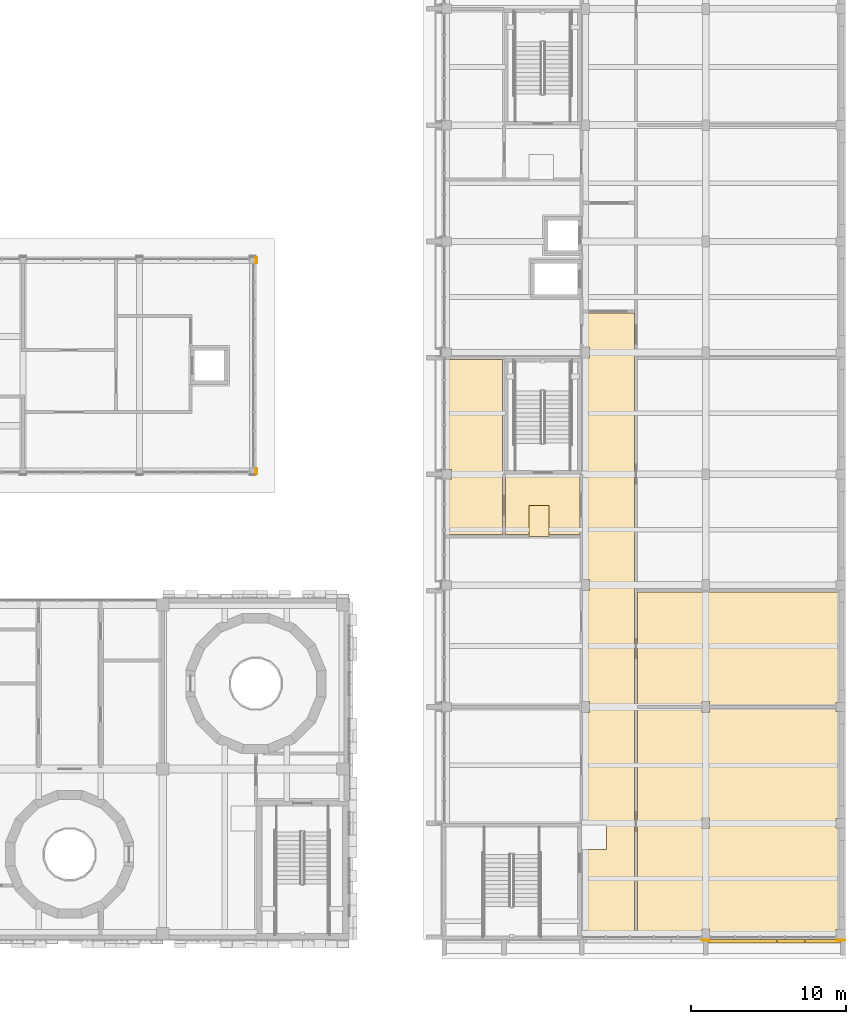
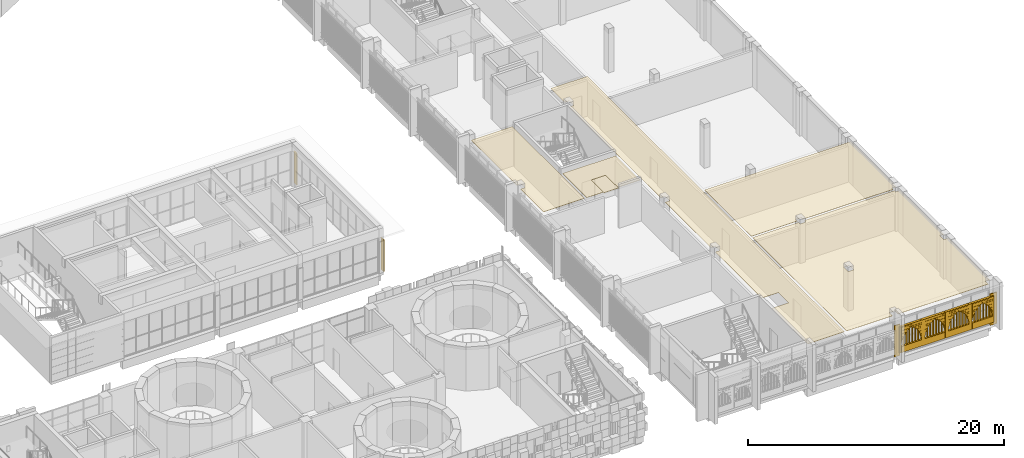
# One storey, part 80 of 92: 9 coverings.
"""IFC4 building model written with IfcOpenShell, lengths in metres."""

from ifc_helpers import new_model, si_unit, direction, frame, origin, origin_2d, place, context, subcontext, project, spatial, polyline, rectangle, outline, extrude, material, layer, layer_set, type_object, element, save


model = new_model("IFC4")

# Units and contexts
model_context = context("Model", 3, precision=1e-05, world=origin(), true_north=direction((0.0, 1.0)))
body_context = subcontext(model_context, "Body", "Model", "MODEL_VIEW")
ifc_project = project(units=[si_unit("LENGTHUNIT", "METRE"), si_unit("AREAUNIT", "SQUARE_METRE"), si_unit("VOLUMEUNIT", "CUBIC_METRE"), si_unit("PLANEANGLEUNIT", "RADIAN"), si_unit("MASSUNIT", "GRAM", prefix="KILO")], contexts=[model_context])

# Site, building, storey
site_placement = place(None, origin())
site = spatial("IfcSite", under=ifc_project, at=site_placement, CompositionType="ELEMENT")
building_placement = place(site_placement, origin())
building = spatial("IfcBuilding", under=site, at=building_placement, Name="Sun Court Science Centre", CompositionType="ELEMENT")
storey_placement = place(building_placement, frame((0.0, 0.0, 11.25)))
storey = spatial("IfcBuildingStorey", under=building, at=storey_placement, Name="L02", CompositionType="ELEMENT", Elevation=11.25)

# Coverings
ifc_material_1 = material(Name="Red sandstone", Category="masonry")
ifc_layer_1 = layer(ifc_material_1, 0.199951171875)
ifc_layer_set_1 = layer_set([ifc_layer_1], Name="Red sandstone")
covering_type_1 = type_object("IfcCoveringType", Name="Arched jali screen 200", PredefinedType="CLADDING", material=ifc_layer_set_1)
covering_1_placement = place(storey_placement, frame((0.0, 0.0, -11.25)))
element("IfcCovering", 1, at=covering_1_placement, inside=storey, type_object=covering_type_1, Name="Arched jali screen south L02 04", PredefinedType="CLADDING", context=body_context, shape_type="SweptSolid", body=[
    extrude(rectangle(XDim=0.139892578125, YDim=0.199951171875, at=origin_2d()), frame((95.22509765625, 5.89990234375, 11.55517578125), z_axis=(0.0, 0.0, 1.0), x_axis=(1.0, 0.0, 0.0)), (0.0, 0.0, 1.0), 2.481201171875),
    extrude(rectangle(XDim=0.2900390625, YDim=0.199951171875, at=origin_2d()), frame((97.28759765625, 5.89990234375, 11.55517578125), z_axis=(0.0, 0.0, 1.0), x_axis=(1.0, 0.0, 0.0)), (0.0, 0.0, 1.0), 2.481201171875),
    extrude(rectangle(XDim=0.2900390625, YDim=0.199951171875, at=origin_2d()), frame((99.425048828125, 5.89990234375, 11.55517578125), z_axis=(0.0, 0.0, 1.0), x_axis=(1.0, 0.0, 0.0)), (0.0, 0.0, 1.0), 2.481201171875),
    extrude(rectangle(XDim=0.2900390625, YDim=0.199951171875, at=origin_2d()), frame((101.5625, 5.89990234375, 11.55517578125), z_axis=(0.0, 0.0, 1.0), x_axis=(1.0, 0.0, 0.0)), (0.0, 0.0, 1.0), 2.481201171875),
    extrude(rectangle(XDim=0.139892578125, YDim=0.199951171875, at=origin_2d()), frame((103.625, 5.89990234375, 11.55517578125), z_axis=(0.0, 0.0, 1.0), x_axis=(1.0, 0.0, 0.0)), (0.0, 0.0, 1.0), 2.481201171875),
    extrude(rectangle(XDim=1.827392578125, YDim=0.199951171875, at=origin_2d()), frame((96.21875, 5.89990234375, 11.55517578125), z_axis=(0.0, 0.0, 1.0), x_axis=(1.0, 0.0, 0.0)), (0.0, 0.0, 1.0), 0.590087890625),
    extrude(rectangle(XDim=0.028564453125, YDim=0.199951171875, at=origin_2d()), frame((95.3193359375, 5.89990234375, 12.455078125), z_axis=(0.0, 0.0, 1.0), x_axis=(1.0, 0.0, 0.0)), (0.0, 0.0, 1.0), 0.139892578125),
    extrude(rectangle(XDim=0.028564453125, YDim=0.199951171875, at=origin_2d()), frame((97.1181640625, 5.89990234375, 12.455078125), z_axis=(0.0, 0.0, 1.0), x_axis=(1.0, 0.0, 0.0)), (0.0, 0.0, 1.0), 0.139892578125),
    extrude(rectangle(XDim=0.066650390625, YDim=0.199951171875, at=origin_2d()), frame((95.33837890625, 5.89990234375, 12.60498046875), z_axis=(0.0, 0.0, 1.0), x_axis=(1.0, 0.0, 0.0)), (0.0, 0.0, 1.0), 0.139892578125),
    extrude(rectangle(XDim=0.066650390625, YDim=0.199951171875, at=origin_2d()), frame((97.09912109375, 5.89990234375, 12.60498046875), z_axis=(0.0, 0.0, 1.0), x_axis=(1.0, 0.0, 0.0)), (0.0, 0.0, 1.0), 0.139892578125),
    extrude(rectangle(XDim=0.118408203125, YDim=0.199951171875, at=origin_2d()), frame((95.3642578125, 5.89990234375, 12.7548828125), z_axis=(0.0, 0.0, 1.0), x_axis=(1.0, 0.0, 0.0)), (0.0, 0.0, 1.0), 0.139892578125),
    extrude(rectangle(XDim=0.118408203125, YDim=0.199951171875, at=origin_2d()), frame((97.0732421875, 5.89990234375, 12.7548828125), z_axis=(0.0, 0.0, 1.0), x_axis=(1.0, 0.0, 0.0)), (0.0, 0.0, 1.0), 0.139892578125),
    extrude(rectangle(XDim=0.185546875, YDim=0.199951171875, at=origin_2d()), frame((95.397705078125, 5.89990234375, 12.9052734375), z_axis=(0.0, 0.0, 1.0), x_axis=(1.0, 0.0, 0.0)), (0.0, 0.0, 1.0), 0.139892578125),
    extrude(rectangle(XDim=0.185546875, YDim=0.199951171875, at=origin_2d()), frame((97.039794921875, 5.89990234375, 12.9052734375), z_axis=(0.0, 0.0, 1.0), x_axis=(1.0, 0.0, 0.0)), (0.0, 0.0, 1.0), 0.139892578125),
    extrude(rectangle(XDim=0.27001953125, YDim=0.199951171875, at=origin_2d()), frame((95.43994140625, 5.89990234375, 13.05517578125), z_axis=(0.0, 0.0, 1.0), x_axis=(1.0, 0.0, 0.0)), (0.0, 0.0, 1.0), 0.139892578125),
    extrude(rectangle(XDim=0.27001953125, YDim=0.199951171875, at=origin_2d()), frame((96.99755859375, 5.89990234375, 13.05517578125), z_axis=(0.0, 0.0, 1.0), x_axis=(1.0, 0.0, 0.0)), (0.0, 0.0, 1.0), 0.139892578125),
    extrude(rectangle(XDim=0.374755859375, YDim=0.199951171875, at=origin_2d()), frame((95.492431640625, 5.89990234375, 13.205078125), z_axis=(0.0, 0.0, 1.0), x_axis=(1.0, 0.0, 0.0)), (0.0, 0.0, 1.0), 0.139892578125),
    extrude(rectangle(XDim=0.374755859375, YDim=0.199951171875, at=origin_2d()), frame((96.945068359375, 5.89990234375, 13.205078125), z_axis=(0.0, 0.0, 1.0), x_axis=(1.0, 0.0, 0.0)), (0.0, 0.0, 1.0), 0.139892578125),
    extrude(rectangle(XDim=0.50439453125, YDim=0.199951171875, at=origin_2d()), frame((95.55712890625, 5.89990234375, 13.35498046875), z_axis=(0.0, 0.0, 1.0), x_axis=(1.0, 0.0, 0.0)), (0.0, 0.0, 1.0), 0.139892578125),
    extrude(rectangle(XDim=0.50439453125, YDim=0.199951171875, at=origin_2d()), frame((96.88037109375, 5.89990234375, 13.35498046875), z_axis=(0.0, 0.0, 1.0), x_axis=(1.0, 0.0, 0.0)), (0.0, 0.0, 1.0), 0.139892578125),
    extrude(rectangle(XDim=0.66748046875, YDim=0.199951171875, at=origin_2d()), frame((95.638671875, 5.89990234375, 13.5048828125), z_axis=(0.0, 0.0, 1.0), x_axis=(1.0, 0.0, 0.0)), (0.0, 0.0, 1.0), 0.139892578125),
    extrude(rectangle(XDim=0.66748046875, YDim=0.199951171875, at=origin_2d()), frame((96.798828125, 5.89990234375, 13.5048828125), z_axis=(0.0, 0.0, 1.0), x_axis=(1.0, 0.0, 0.0)), (0.0, 0.0, 1.0), 0.139892578125),
    extrude(rectangle(XDim=0.881103515625, YDim=0.199951171875, at=origin_2d()), frame((95.74560546875, 5.89990234375, 13.6552734375), z_axis=(0.0, 0.0, 1.0), x_axis=(1.0, 0.0, 0.0)), (0.0, 0.0, 1.0), 0.139892578125),
    extrude(rectangle(XDim=0.881103515625, YDim=0.199951171875, at=origin_2d()), frame((96.69189453125, 5.89990234375, 13.6552734375), z_axis=(0.0, 0.0, 1.0), x_axis=(1.0, 0.0, 0.0)), (0.0, 0.0, 1.0), 0.139892578125),
    extrude(rectangle(XDim=1.827392578125, YDim=0.199951171875, at=origin_2d()), frame((96.21875, 5.89990234375, 13.80517578125), z_axis=(0.0, 0.0, 1.0), x_axis=(1.0, 0.0, 0.0)), (0.0, 0.0, 1.0), 0.139892578125),
    extrude(rectangle(XDim=1.827392578125, YDim=0.199951171875, at=origin_2d()), frame((96.21875, 5.89990234375, 13.955078125), z_axis=(0.0, 0.0, 1.0), x_axis=(1.0, 0.0, 0.0)), (0.0, 0.0, 1.0), 0.081298828125),
    extrude(rectangle(XDim=0.0400390625, YDim=0.199951171875, at=origin_2d()), frame((95.5625, 5.89990234375, 12.155029296875), z_axis=(0.0, 0.0, 1.0), x_axis=(1.0, 0.0, 0.0)), (0.0, 0.0, 1.0), 0.9365234375),
    extrude(rectangle(XDim=0.0400390625, YDim=0.199951171875, at=origin_2d()), frame((95.824951171875, 5.89990234375, 12.155029296875), z_axis=(0.0, 0.0, 1.0), x_axis=(1.0, 0.0, 0.0)), (0.0, 0.0, 1.0), 1.27587890625),
    extrude(rectangle(XDim=0.0400390625, YDim=0.199951171875, at=origin_2d()), frame((96.08740234375, 5.89990234375, 12.155029296875), z_axis=(0.0, 0.0, 1.0), x_axis=(1.0, 0.0, 0.0)), (0.0, 0.0, 1.0), 1.498046875),
    extrude(rectangle(XDim=0.0400390625, YDim=0.199951171875, at=origin_2d()), frame((96.35009765625, 5.89990234375, 12.155029296875), z_axis=(0.0, 0.0, 1.0), x_axis=(1.0, 0.0, 0.0)), (0.0, 0.0, 1.0), 1.498046875),
    extrude(rectangle(XDim=0.0400390625, YDim=0.199951171875, at=origin_2d()), frame((96.612548828125, 5.89990234375, 12.155029296875), z_axis=(0.0, 0.0, 1.0), x_axis=(1.0, 0.0, 0.0)), (0.0, 0.0, 1.0), 1.27587890625),
    extrude(rectangle(XDim=0.0400390625, YDim=0.199951171875, at=origin_2d()), frame((96.875, 5.89990234375, 12.155029296875), z_axis=(0.0, 0.0, 1.0), x_axis=(1.0, 0.0, 0.0)), (0.0, 0.0, 1.0), 0.9365234375),
    extrude(rectangle(XDim=1.827392578125, YDim=0.199951171875, at=origin_2d()), frame((98.356201171875, 5.89990234375, 11.55517578125), z_axis=(0.0, 0.0, 1.0), x_axis=(1.0, 0.0, 0.0)), (0.0, 0.0, 1.0), 0.590087890625),
    extrude(rectangle(XDim=0.028564453125, YDim=0.199951171875, at=origin_2d()), frame((97.456787109375, 5.89990234375, 12.455078125), z_axis=(0.0, 0.0, 1.0), x_axis=(1.0, 0.0, 0.0)), (0.0, 0.0, 1.0), 0.139892578125),
    extrude(rectangle(XDim=0.028564453125, YDim=0.199951171875, at=origin_2d()), frame((99.255615234375, 5.89990234375, 12.455078125), z_axis=(0.0, 0.0, 1.0), x_axis=(1.0, 0.0, 0.0)), (0.0, 0.0, 1.0), 0.139892578125),
    extrude(rectangle(XDim=0.066650390625, YDim=0.199951171875, at=origin_2d()), frame((97.475830078125, 5.89990234375, 12.60498046875), z_axis=(0.0, 0.0, 1.0), x_axis=(1.0, 0.0, 0.0)), (0.0, 0.0, 1.0), 0.139892578125),
    extrude(rectangle(XDim=0.066650390625, YDim=0.199951171875, at=origin_2d()), frame((99.23681640625, 5.89990234375, 12.60498046875), z_axis=(0.0, 0.0, 1.0), x_axis=(1.0, 0.0, 0.0)), (0.0, 0.0, 1.0), 0.139892578125),
    extrude(rectangle(XDim=0.118408203125, YDim=0.199951171875, at=origin_2d()), frame((97.501708984375, 5.89990234375, 12.7548828125), z_axis=(0.0, 0.0, 1.0), x_axis=(1.0, 0.0, 0.0)), (0.0, 0.0, 1.0), 0.139892578125),
    extrude(rectangle(XDim=0.118408203125, YDim=0.199951171875, at=origin_2d()), frame((99.210693359375, 5.89990234375, 12.7548828125), z_axis=(0.0, 0.0, 1.0), x_axis=(1.0, 0.0, 0.0)), (0.0, 0.0, 1.0), 0.139892578125),
    extrude(rectangle(XDim=0.185546875, YDim=0.199951171875, at=origin_2d()), frame((97.535400390625, 5.89990234375, 12.9052734375), z_axis=(0.0, 0.0, 1.0), x_axis=(1.0, 0.0, 0.0)), (0.0, 0.0, 1.0), 0.139892578125),
    extrude(rectangle(XDim=0.185546875, YDim=0.199951171875, at=origin_2d()), frame((99.17724609375, 5.89990234375, 12.9052734375), z_axis=(0.0, 0.0, 1.0), x_axis=(1.0, 0.0, 0.0)), (0.0, 0.0, 1.0), 0.139892578125),
    extrude(rectangle(XDim=0.27001953125, YDim=0.199951171875, at=origin_2d()), frame((97.577392578125, 5.89990234375, 13.05517578125), z_axis=(0.0, 0.0, 1.0), x_axis=(1.0, 0.0, 0.0)), (0.0, 0.0, 1.0), 0.139892578125),
    extrude(rectangle(XDim=0.27001953125, YDim=0.199951171875, at=origin_2d()), frame((99.135009765625, 5.89990234375, 13.05517578125), z_axis=(0.0, 0.0, 1.0), x_axis=(1.0, 0.0, 0.0)), (0.0, 0.0, 1.0), 0.139892578125),
    extrude(rectangle(XDim=0.374755859375, YDim=0.199951171875, at=origin_2d()), frame((97.6298828125, 5.89990234375, 13.205078125), z_axis=(0.0, 0.0, 1.0), x_axis=(1.0, 0.0, 0.0)), (0.0, 0.0, 1.0), 0.139892578125),
    extrude(rectangle(XDim=0.374755859375, YDim=0.199951171875, at=origin_2d()), frame((99.082763671875, 5.89990234375, 13.205078125), z_axis=(0.0, 0.0, 1.0), x_axis=(1.0, 0.0, 0.0)), (0.0, 0.0, 1.0), 0.139892578125),
    extrude(rectangle(XDim=0.50439453125, YDim=0.199951171875, at=origin_2d()), frame((97.694580078125, 5.89990234375, 13.35498046875), z_axis=(0.0, 0.0, 1.0), x_axis=(1.0, 0.0, 0.0)), (0.0, 0.0, 1.0), 0.139892578125),
    extrude(rectangle(XDim=0.50439453125, YDim=0.199951171875, at=origin_2d()), frame((99.017822265625, 5.89990234375, 13.35498046875), z_axis=(0.0, 0.0, 1.0), x_axis=(1.0, 0.0, 0.0)), (0.0, 0.0, 1.0), 0.139892578125),
    extrude(rectangle(XDim=0.66748046875, YDim=0.199951171875, at=origin_2d()), frame((97.776123046875, 5.89990234375, 13.5048828125), z_axis=(0.0, 0.0, 1.0), x_axis=(1.0, 0.0, 0.0)), (0.0, 0.0, 1.0), 0.139892578125),
    extrude(rectangle(XDim=0.66748046875, YDim=0.199951171875, at=origin_2d()), frame((98.936279296875, 5.89990234375, 13.5048828125), z_axis=(0.0, 0.0, 1.0), x_axis=(1.0, 0.0, 0.0)), (0.0, 0.0, 1.0), 0.139892578125),
    extrude(rectangle(XDim=0.881103515625, YDim=0.199951171875, at=origin_2d()), frame((97.883056640625, 5.89990234375, 13.6552734375), z_axis=(0.0, 0.0, 1.0), x_axis=(1.0, 0.0, 0.0)), (0.0, 0.0, 1.0), 0.139892578125),
    extrude(rectangle(XDim=0.881103515625, YDim=0.199951171875, at=origin_2d()), frame((98.82958984375, 5.89990234375, 13.6552734375), z_axis=(0.0, 0.0, 1.0), x_axis=(1.0, 0.0, 0.0)), (0.0, 0.0, 1.0), 0.139892578125),
    extrude(rectangle(XDim=1.827392578125, YDim=0.199951171875, at=origin_2d()), frame((98.356201171875, 5.89990234375, 13.80517578125), z_axis=(0.0, 0.0, 1.0), x_axis=(1.0, 0.0, 0.0)), (0.0, 0.0, 1.0), 0.139892578125),
    extrude(rectangle(XDim=1.827392578125, YDim=0.199951171875, at=origin_2d()), frame((98.356201171875, 5.89990234375, 13.955078125), z_axis=(0.0, 0.0, 1.0), x_axis=(1.0, 0.0, 0.0)), (0.0, 0.0, 1.0), 0.081298828125),
    extrude(rectangle(XDim=0.0400390625, YDim=0.199951171875, at=origin_2d()), frame((97.699951171875, 5.89990234375, 12.155029296875), z_axis=(0.0, 0.0, 1.0), x_axis=(1.0, 0.0, 0.0)), (0.0, 0.0, 1.0), 0.9365234375),
    extrude(rectangle(XDim=0.0400390625, YDim=0.199951171875, at=origin_2d()), frame((97.96240234375, 5.89990234375, 12.155029296875), z_axis=(0.0, 0.0, 1.0), x_axis=(1.0, 0.0, 0.0)), (0.0, 0.0, 1.0), 1.27587890625),
    extrude(rectangle(XDim=0.0400390625, YDim=0.199951171875, at=origin_2d()), frame((98.22509765625, 5.89990234375, 12.155029296875), z_axis=(0.0, 0.0, 1.0), x_axis=(1.0, 0.0, 0.0)), (0.0, 0.0, 1.0), 1.498046875),
    extrude(rectangle(XDim=0.0400390625, YDim=0.199951171875, at=origin_2d()), frame((98.487548828125, 5.89990234375, 12.155029296875), z_axis=(0.0, 0.0, 1.0), x_axis=(1.0, 0.0, 0.0)), (0.0, 0.0, 1.0), 1.498046875),
    extrude(rectangle(XDim=0.0400390625, YDim=0.199951171875, at=origin_2d()), frame((98.75, 5.89990234375, 12.155029296875), z_axis=(0.0, 0.0, 1.0), x_axis=(1.0, 0.0, 0.0)), (0.0, 0.0, 1.0), 1.27587890625),
    extrude(rectangle(XDim=0.0400390625, YDim=0.199951171875, at=origin_2d()), frame((99.012451171875, 5.89990234375, 12.155029296875), z_axis=(0.0, 0.0, 1.0), x_axis=(1.0, 0.0, 0.0)), (0.0, 0.0, 1.0), 0.9365234375),
    extrude(rectangle(XDim=1.827392578125, YDim=0.199951171875, at=origin_2d()), frame((100.49365234375, 5.89990234375, 11.55517578125), z_axis=(0.0, 0.0, 1.0), x_axis=(1.0, 0.0, 0.0)), (0.0, 0.0, 1.0), 0.590087890625),
    extrude(rectangle(XDim=0.028564453125, YDim=0.199951171875, at=origin_2d()), frame((99.59423828125, 5.89990234375, 12.455078125), z_axis=(0.0, 0.0, 1.0), x_axis=(1.0, 0.0, 0.0)), (0.0, 0.0, 1.0), 0.139892578125),
    extrude(rectangle(XDim=0.028564453125, YDim=0.199951171875, at=origin_2d()), frame((101.39306640625, 5.89990234375, 12.455078125), z_axis=(0.0, 0.0, 1.0), x_axis=(1.0, 0.0, 0.0)), (0.0, 0.0, 1.0), 0.139892578125),
    extrude(rectangle(XDim=0.066650390625, YDim=0.199951171875, at=origin_2d()), frame((99.61328125, 5.89990234375, 12.60498046875), z_axis=(0.0, 0.0, 1.0), x_axis=(1.0, 0.0, 0.0)), (0.0, 0.0, 1.0), 0.139892578125),
    extrude(rectangle(XDim=0.066650390625, YDim=0.199951171875, at=origin_2d()), frame((101.374267578125, 5.89990234375, 12.60498046875), z_axis=(0.0, 0.0, 1.0), x_axis=(1.0, 0.0, 0.0)), (0.0, 0.0, 1.0), 0.139892578125),
    extrude(rectangle(XDim=0.118408203125, YDim=0.199951171875, at=origin_2d()), frame((99.63916015625, 5.89990234375, 12.7548828125), z_axis=(0.0, 0.0, 1.0), x_axis=(1.0, 0.0, 0.0)), (0.0, 0.0, 1.0), 0.139892578125),
    extrude(rectangle(XDim=0.118408203125, YDim=0.199951171875, at=origin_2d()), frame((101.34814453125, 5.89990234375, 12.7548828125), z_axis=(0.0, 0.0, 1.0), x_axis=(1.0, 0.0, 0.0)), (0.0, 0.0, 1.0), 0.139892578125),
    extrude(rectangle(XDim=0.185546875, YDim=0.199951171875, at=origin_2d()), frame((99.6728515625, 5.89990234375, 12.9052734375), z_axis=(0.0, 0.0, 1.0), x_axis=(1.0, 0.0, 0.0)), (0.0, 0.0, 1.0), 0.139892578125),
    extrude(rectangle(XDim=0.185546875, YDim=0.199951171875, at=origin_2d()), frame((101.314697265625, 5.89990234375, 12.9052734375), z_axis=(0.0, 0.0, 1.0), x_axis=(1.0, 0.0, 0.0)), (0.0, 0.0, 1.0), 0.139892578125),
    extrude(rectangle(XDim=0.27001953125, YDim=0.199951171875, at=origin_2d()), frame((99.715087890625, 5.89990234375, 13.05517578125), z_axis=(0.0, 0.0, 1.0), x_axis=(1.0, 0.0, 0.0)), (0.0, 0.0, 1.0), 0.139892578125),
    extrude(rectangle(XDim=0.27001953125, YDim=0.199951171875, at=origin_2d()), frame((101.2724609375, 5.89990234375, 13.05517578125), z_axis=(0.0, 0.0, 1.0), x_axis=(1.0, 0.0, 0.0)), (0.0, 0.0, 1.0), 0.139892578125),
    extrude(rectangle(XDim=0.374755859375, YDim=0.199951171875, at=origin_2d()), frame((99.767333984375, 5.89990234375, 13.205078125), z_axis=(0.0, 0.0, 1.0), x_axis=(1.0, 0.0, 0.0)), (0.0, 0.0, 1.0), 0.139892578125),
    extrude(rectangle(XDim=0.374755859375, YDim=0.199951171875, at=origin_2d()), frame((101.22021484375, 5.89990234375, 13.205078125), z_axis=(0.0, 0.0, 1.0), x_axis=(1.0, 0.0, 0.0)), (0.0, 0.0, 1.0), 0.139892578125),
    extrude(rectangle(XDim=0.50439453125, YDim=0.199951171875, at=origin_2d()), frame((99.832275390625, 5.89990234375, 13.35498046875), z_axis=(0.0, 0.0, 1.0), x_axis=(1.0, 0.0, 0.0)), (0.0, 0.0, 1.0), 0.139892578125),
    extrude(rectangle(XDim=0.50439453125, YDim=0.199951171875, at=origin_2d()), frame((101.1552734375, 5.89990234375, 13.35498046875), z_axis=(0.0, 0.0, 1.0), x_axis=(1.0, 0.0, 0.0)), (0.0, 0.0, 1.0), 0.139892578125),
    extrude(rectangle(XDim=0.66748046875, YDim=0.199951171875, at=origin_2d()), frame((99.913818359375, 5.89990234375, 13.5048828125), z_axis=(0.0, 0.0, 1.0), x_axis=(1.0, 0.0, 0.0)), (0.0, 0.0, 1.0), 0.139892578125),
    extrude(rectangle(XDim=0.66748046875, YDim=0.199951171875, at=origin_2d()), frame((101.07373046875, 5.89990234375, 13.5048828125), z_axis=(0.0, 0.0, 1.0), x_axis=(1.0, 0.0, 0.0)), (0.0, 0.0, 1.0), 0.139892578125),
    extrude(rectangle(XDim=0.881103515625, YDim=0.199951171875, at=origin_2d()), frame((100.0205078125, 5.89990234375, 13.6552734375), z_axis=(0.0, 0.0, 1.0), x_axis=(1.0, 0.0, 0.0)), (0.0, 0.0, 1.0), 0.139892578125),
    extrude(rectangle(XDim=0.881103515625, YDim=0.199951171875, at=origin_2d()), frame((100.967041015625, 5.89990234375, 13.6552734375), z_axis=(0.0, 0.0, 1.0), x_axis=(1.0, 0.0, 0.0)), (0.0, 0.0, 1.0), 0.139892578125),
    extrude(rectangle(XDim=1.827392578125, YDim=0.199951171875, at=origin_2d()), frame((100.49365234375, 5.89990234375, 13.80517578125), z_axis=(0.0, 0.0, 1.0), x_axis=(1.0, 0.0, 0.0)), (0.0, 0.0, 1.0), 0.139892578125),
    extrude(rectangle(XDim=1.827392578125, YDim=0.199951171875, at=origin_2d()), frame((100.49365234375, 5.89990234375, 13.955078125), z_axis=(0.0, 0.0, 1.0), x_axis=(1.0, 0.0, 0.0)), (0.0, 0.0, 1.0), 0.081298828125),
    extrude(rectangle(XDim=0.0400390625, YDim=0.199951171875, at=origin_2d()), frame((99.83740234375, 5.89990234375, 12.155029296875), z_axis=(0.0, 0.0, 1.0), x_axis=(1.0, 0.0, 0.0)), (0.0, 0.0, 1.0), 0.9365234375),
    extrude(rectangle(XDim=0.0400390625, YDim=0.199951171875, at=origin_2d()), frame((100.10009765625, 5.89990234375, 12.155029296875), z_axis=(0.0, 0.0, 1.0), x_axis=(1.0, 0.0, 0.0)), (0.0, 0.0, 1.0), 1.27587890625),
    extrude(rectangle(XDim=0.0400390625, YDim=0.199951171875, at=origin_2d()), frame((100.362548828125, 5.89990234375, 12.155029296875), z_axis=(0.0, 0.0, 1.0), x_axis=(1.0, 0.0, 0.0)), (0.0, 0.0, 1.0), 1.498046875),
    extrude(rectangle(XDim=0.0400390625, YDim=0.199951171875, at=origin_2d()), frame((100.625, 5.89990234375, 12.155029296875), z_axis=(0.0, 0.0, 1.0), x_axis=(1.0, 0.0, 0.0)), (0.0, 0.0, 1.0), 1.498046875),
    extrude(rectangle(XDim=0.0400390625, YDim=0.199951171875, at=origin_2d()), frame((100.887451171875, 5.89990234375, 12.155029296875), z_axis=(0.0, 0.0, 1.0), x_axis=(1.0, 0.0, 0.0)), (0.0, 0.0, 1.0), 1.27587890625),
    extrude(rectangle(XDim=0.0400390625, YDim=0.199951171875, at=origin_2d()), frame((101.14990234375, 5.89990234375, 12.155029296875), z_axis=(0.0, 0.0, 1.0), x_axis=(1.0, 0.0, 0.0)), (0.0, 0.0, 1.0), 0.9365234375),
    extrude(rectangle(XDim=1.827392578125, YDim=0.199951171875, at=origin_2d()), frame((102.63134765625, 5.89990234375, 11.55517578125), z_axis=(0.0, 0.0, 1.0), x_axis=(1.0, 0.0, 0.0)), (0.0, 0.0, 1.0), 0.590087890625),
    extrude(rectangle(XDim=0.028564453125, YDim=0.199951171875, at=origin_2d()), frame((101.73193359375, 5.89990234375, 12.455078125), z_axis=(0.0, 0.0, 1.0), x_axis=(1.0, 0.0, 0.0)), (0.0, 0.0, 1.0), 0.139892578125),
    extrude(rectangle(XDim=0.028564453125, YDim=0.199951171875, at=origin_2d()), frame((103.53076171875, 5.89990234375, 12.455078125), z_axis=(0.0, 0.0, 1.0), x_axis=(1.0, 0.0, 0.0)), (0.0, 0.0, 1.0), 0.139892578125),
    extrude(rectangle(XDim=0.066650390625, YDim=0.199951171875, at=origin_2d()), frame((101.750732421875, 5.89990234375, 12.60498046875), z_axis=(0.0, 0.0, 1.0), x_axis=(1.0, 0.0, 0.0)), (0.0, 0.0, 1.0), 0.139892578125),
    extrude(rectangle(XDim=0.066650390625, YDim=0.199951171875, at=origin_2d()), frame((103.51171875, 5.89990234375, 12.60498046875), z_axis=(0.0, 0.0, 1.0), x_axis=(1.0, 0.0, 0.0)), (0.0, 0.0, 1.0), 0.139892578125),
    extrude(rectangle(XDim=0.118408203125, YDim=0.199951171875, at=origin_2d()), frame((101.77685546875, 5.89990234375, 12.7548828125), z_axis=(0.0, 0.0, 1.0), x_axis=(1.0, 0.0, 0.0)), (0.0, 0.0, 1.0), 0.139892578125),
    extrude(rectangle(XDim=0.118408203125, YDim=0.199951171875, at=origin_2d()), frame((103.48583984375, 5.89990234375, 12.7548828125), z_axis=(0.0, 0.0, 1.0), x_axis=(1.0, 0.0, 0.0)), (0.0, 0.0, 1.0), 0.139892578125),
    extrude(rectangle(XDim=0.185546875, YDim=0.199951171875, at=origin_2d()), frame((101.810302734375, 5.89990234375, 12.9052734375), z_axis=(0.0, 0.0, 1.0), x_axis=(1.0, 0.0, 0.0)), (0.0, 0.0, 1.0), 0.139892578125),
    extrude(rectangle(XDim=0.185546875, YDim=0.199951171875, at=origin_2d()), frame((103.4521484375, 5.89990234375, 12.9052734375), z_axis=(0.0, 0.0, 1.0), x_axis=(1.0, 0.0, 0.0)), (0.0, 0.0, 1.0), 0.139892578125),
    extrude(rectangle(XDim=0.27001953125, YDim=0.199951171875, at=origin_2d()), frame((101.8525390625, 5.89990234375, 13.05517578125), z_axis=(0.0, 0.0, 1.0), x_axis=(1.0, 0.0, 0.0)), (0.0, 0.0, 1.0), 0.139892578125),
    extrude(rectangle(XDim=0.27001953125, YDim=0.199951171875, at=origin_2d()), frame((103.409912109375, 5.89990234375, 13.05517578125), z_axis=(0.0, 0.0, 1.0), x_axis=(1.0, 0.0, 0.0)), (0.0, 0.0, 1.0), 0.139892578125),
    extrude(rectangle(XDim=0.374755859375, YDim=0.199951171875, at=origin_2d()), frame((101.90478515625, 5.89990234375, 13.205078125), z_axis=(0.0, 0.0, 1.0), x_axis=(1.0, 0.0, 0.0)), (0.0, 0.0, 1.0), 0.139892578125),
    extrude(rectangle(XDim=0.374755859375, YDim=0.199951171875, at=origin_2d()), frame((103.357666015625, 5.89990234375, 13.205078125), z_axis=(0.0, 0.0, 1.0), x_axis=(1.0, 0.0, 0.0)), (0.0, 0.0, 1.0), 0.139892578125),
    extrude(rectangle(XDim=0.50439453125, YDim=0.199951171875, at=origin_2d()), frame((101.9697265625, 5.89990234375, 13.35498046875), z_axis=(0.0, 0.0, 1.0), x_axis=(1.0, 0.0, 0.0)), (0.0, 0.0, 1.0), 0.139892578125),
    extrude(rectangle(XDim=0.50439453125, YDim=0.199951171875, at=origin_2d()), frame((103.292724609375, 5.89990234375, 13.35498046875), z_axis=(0.0, 0.0, 1.0), x_axis=(1.0, 0.0, 0.0)), (0.0, 0.0, 1.0), 0.139892578125),
    extrude(rectangle(XDim=0.66748046875, YDim=0.199951171875, at=origin_2d()), frame((102.05126953125, 5.89990234375, 13.5048828125), z_axis=(0.0, 0.0, 1.0), x_axis=(1.0, 0.0, 0.0)), (0.0, 0.0, 1.0), 0.139892578125),
    extrude(rectangle(XDim=0.66748046875, YDim=0.199951171875, at=origin_2d()), frame((103.211181640625, 5.89990234375, 13.5048828125), z_axis=(0.0, 0.0, 1.0), x_axis=(1.0, 0.0, 0.0)), (0.0, 0.0, 1.0), 0.139892578125),
    extrude(rectangle(XDim=0.881103515625, YDim=0.199951171875, at=origin_2d()), frame((102.157958984375, 5.89990234375, 13.6552734375), z_axis=(0.0, 0.0, 1.0), x_axis=(1.0, 0.0, 0.0)), (0.0, 0.0, 1.0), 0.139892578125),
    extrude(rectangle(XDim=0.881103515625, YDim=0.199951171875, at=origin_2d()), frame((103.1044921875, 5.89990234375, 13.6552734375), z_axis=(0.0, 0.0, 1.0), x_axis=(1.0, 0.0, 0.0)), (0.0, 0.0, 1.0), 0.139892578125),
    extrude(rectangle(XDim=1.827392578125, YDim=0.199951171875, at=origin_2d()), frame((102.63134765625, 5.89990234375, 13.80517578125), z_axis=(0.0, 0.0, 1.0), x_axis=(1.0, 0.0, 0.0)), (0.0, 0.0, 1.0), 0.139892578125),
    extrude(rectangle(XDim=1.827392578125, YDim=0.199951171875, at=origin_2d()), frame((102.63134765625, 5.89990234375, 13.955078125), z_axis=(0.0, 0.0, 1.0), x_axis=(1.0, 0.0, 0.0)), (0.0, 0.0, 1.0), 0.081298828125),
    extrude(rectangle(XDim=0.0400390625, YDim=0.199951171875, at=origin_2d()), frame((101.97509765625, 5.89990234375, 12.155029296875), z_axis=(0.0, 0.0, 1.0), x_axis=(1.0, 0.0, 0.0)), (0.0, 0.0, 1.0), 0.9365234375),
    extrude(rectangle(XDim=0.0400390625, YDim=0.199951171875, at=origin_2d()), frame((102.237548828125, 5.89990234375, 12.155029296875), z_axis=(0.0, 0.0, 1.0), x_axis=(1.0, 0.0, 0.0)), (0.0, 0.0, 1.0), 1.27587890625),
    extrude(rectangle(XDim=0.0400390625, YDim=0.199951171875, at=origin_2d()), frame((102.5, 5.89990234375, 12.155029296875), z_axis=(0.0, 0.0, 1.0), x_axis=(1.0, 0.0, 0.0)), (0.0, 0.0, 1.0), 1.498046875),
    extrude(rectangle(XDim=0.0400390625, YDim=0.199951171875, at=origin_2d()), frame((102.762451171875, 5.89990234375, 12.155029296875), z_axis=(0.0, 0.0, 1.0), x_axis=(1.0, 0.0, 0.0)), (0.0, 0.0, 1.0), 1.498046875),
    extrude(rectangle(XDim=0.0400390625, YDim=0.199951171875, at=origin_2d()), frame((103.02490234375, 5.89990234375, 12.155029296875), z_axis=(0.0, 0.0, 1.0), x_axis=(1.0, 0.0, 0.0)), (0.0, 0.0, 1.0), 1.27587890625),
    extrude(rectangle(XDim=0.0400390625, YDim=0.199951171875, at=origin_2d()), frame((103.28759765625, 5.89990234375, 12.155029296875), z_axis=(0.0, 0.0, 1.0), x_axis=(1.0, 0.0, 0.0)), (0.0, 0.0, 1.0), 0.9365234375),
])
ifc_material_2 = material(Name="Gypsum board")
ifc_layer_2 = layer(ifc_material_2, 0.030029296875)
ifc_layer_set_2 = layer_set([ifc_layer_2], Name="Gypsum board")
covering_type_2 = type_object("IfcCoveringType", Name="Ceiling suspended 600 module", PredefinedType="CEILING", material=ifc_layer_set_2)
covering_2_placement = place(storey_placement, frame((0.0, 0.0, 3.77001953125)))
element("IfcCovering", 2, at=covering_2_placement, inside=storey, type_object=covering_type_2, Name="L02-038 ceiling", PredefinedType="CEILING", context=body_context, shape_type="SweptSolid", body=[
    extrude(outline(polyline([(87.10009765625, 6.199951171875), (87.10009765625, 11.800048828125), (88.60009765625, 11.800048828125), (88.60009765625, 13.39990234375), (87.10009765625, 13.39990234375), (87.10009765625, 20.64990234375), (87.5, 20.64990234375), (87.5, 21.35009765625), (87.10009765625, 21.35009765625), (87.10009765625, 28.5), (87.5, 28.5), (87.5, 29.199951171875), (87.10009765625, 29.199951171875), (87.10009765625, 43.5), (87.5, 43.5), (87.5, 44.199951171875), (87.10009765625, 44.199951171875), (87.10009765625, 46.39990234375), (90.39990234375, 46.39990234375), (90.39990234375, 6.199951171875), (87.10009765625, 6.199951171875)])), origin(), (0.0, 0.0, 1.0), 0.030029296875),
])
covering_3_placement = place(storey_placement, frame((0.0, 0.0, 3.77001953125)))
element("IfcCovering", 3, at=covering_3_placement, inside=storey, type_object=covering_type_2, Name="L02-041 ceiling", PredefinedType="CEILING", context=body_context, shape_type="SweptSolid", body=[
    extrude(outline(polyline([(84.89990234375, 34.0), (83.60009765625, 34.0), (83.60009765625, 32.10009765625), (82.10009765625, 32.10009765625), (82.10009765625, 35.89990234375), (86.89990234375, 35.89990234375), (86.89990234375, 32.10009765625), (84.89990234375, 32.10009765625), (84.89990234375, 34.0)])), origin(), (0.0, 0.0, 1.0), 0.030029296875),
])
covering_4_placement = place(storey_placement, frame((0.0, 0.0, 3.77001953125)))
element("IfcCovering", 4, at=covering_4_placement, inside=storey, type_object=covering_type_2, Name="L02-046 ceiling", PredefinedType="CEILING", context=body_context, shape_type="SweptSolid", body=[
    extrude(outline(polyline([(78.199951171875, 43.39990234375), (81.89990234375, 43.39990234375), (81.89990234375, 32.10009765625), (78.199951171875, 32.10009765625), (78.199951171875, 35.699951171875), (78.60009765625, 35.699951171875), (78.60009765625, 36.300048828125), (78.199951171875, 36.300048828125), (78.199951171875, 43.39990234375)])), origin(), (0.0, 0.0, 1.0), 0.030029296875),
])
covering_5_placement = place(storey_placement, frame((0.0, 0.0, 3.77001953125)))
element("IfcCovering", 5, at=covering_5_placement, inside=storey, type_object=covering_type_2, Name="L02-051 ceiling", PredefinedType="CEILING", context=body_context, shape_type="SweptSolid", body=[
    extrude(outline(polyline([(95.25, 6.199951171875), (95.25, 6.699951171875), (94.75, 6.699951171875), (94.75, 6.199951171875), (90.60009765625, 6.199951171875), (90.60009765625, 20.89990234375), (94.75, 20.89990234375), (94.75, 20.64990234375), (95.25, 20.64990234375), (95.25, 20.89990234375), (103.39990234375, 20.89990234375), (103.39990234375, 20.699951171875), (103.800048828125, 20.699951171875), (103.800048828125, 13.800048828125), (103.39990234375, 13.800048828125), (103.39990234375, 13.199951171875), (103.800048828125, 13.199951171875), (103.800048828125, 6.64990234375), (103.39990234375, 6.64990234375), (103.39990234375, 6.199951171875), (95.25, 6.199951171875)]), holes=[polyline([(95.25, 13.14990234375), (95.25, 13.85009765625), (94.75, 13.85009765625), (94.75, 13.14990234375), (95.25, 13.14990234375)])]), origin(), (0.0, 0.0, 1.0), 0.030029296875),
])
covering_6_placement = place(storey_placement, frame((0.0, 0.0, 3.77001953125)))
element("IfcCovering", 6, at=covering_6_placement, inside=storey, type_object=covering_type_2, Name="L02-052 ceiling", PredefinedType="CEILING", context=body_context, shape_type="SweptSolid", body=[
    extrude(outline(polyline([(103.39990234375, 21.10009765625), (95.25, 21.10009765625), (95.25, 21.35009765625), (94.75, 21.35009765625), (94.75, 21.10009765625), (90.60009765625, 21.10009765625), (90.60009765625, 28.39990234375), (103.800048828125, 28.39990234375), (103.800048828125, 21.300048828125), (103.39990234375, 21.300048828125), (103.39990234375, 21.10009765625)])), origin(), (0.0, 0.0, 1.0), 0.030029296875),
])
covering_7_placement = place(storey_placement, frame((0.0, 0.0, 3.77001953125)))
element("IfcCovering", 7, at=covering_7_placement, inside=storey, type_object=covering_type_2, Name="L02-057 ceiling", PredefinedType="CEILING", context=body_context, shape_type="SweptSolid", body=[
    extrude(outline(polyline([(84.89990234375, 34.0), (84.89990234375, 32.0), (83.60009765625, 32.0), (83.60009765625, 34.0), (84.89990234375, 34.0)])), origin(), (0.0, 0.0, 1.0), 0.030029296875),
])
ifc_material_3 = material(Name="Red sandstone", Category="masonry")
ifc_layer_3 = layer(ifc_material_3, 0.080078125)
ifc_layer_set_3 = layer_set([ifc_layer_3], Name="Red sandstone")
covering_type_3 = type_object("IfcCoveringType", Name="Red sandstone pier cladding", PredefinedType="CLADDING", material=ifc_layer_set_3)
covering_8_placement = place(storey_placement, frame((0.0, 0.0, -11.25)))
element("IfcCovering", 8, at=covering_8_placement, inside=storey, type_object=covering_type_3, Name="Red sandstone pier cladding south face L02", PredefinedType="CLADDING", context=body_context, shape_type="SweptSolid", body=[
    extrude(rectangle(XDim=0.60009765625, YDim=0.080078125, at=origin_2d()), frame((103.699951171875, 5.9599609375, 11.25), z_axis=(0.0, 0.0, 1.0), x_axis=(-1.0, 0.0, 0.0)), (0.0, 0.0, 1.0), 3.0),
    extrude(rectangle(XDim=0.5, YDim=0.080078125, at=origin_2d()), frame((95.0, 5.9599609375, 11.25), z_axis=(0.0, 0.0, 1.0), x_axis=(-1.0, 0.0, 0.0)), (0.0, 0.0, 1.0), 3.0),
])
covering_9_placement = place(storey_placement, frame((0.0, 0.0, -11.25)))
element("IfcCovering", 9, at=covering_9_placement, inside=storey, type_object=covering_type_3, Name="Red sandstone pier cladding east face L02", PredefinedType="CLADDING", context=body_context, shape_type="SweptSolid", body=[
    extrude(rectangle(XDim=0.39990234375, YDim=0.080078125, at=origin_2d()), frame((66.0400390625, 49.800048828125, 11.25), z_axis=(0.0, 0.0, 1.0), x_axis=(0.0, -1.0, 0.0)), (0.0, 0.0, 1.0), 3.0),
    extrude(rectangle(XDim=0.39990234375, YDim=0.080078125, at=origin_2d()), frame((66.0400390625, 36.199951171875, 11.25), z_axis=(0.0, 0.0, 1.0), x_axis=(0.0, -1.0, 0.0)), (0.0, 0.0, 1.0), 3.0),
])

save(model, "model.ifc")
